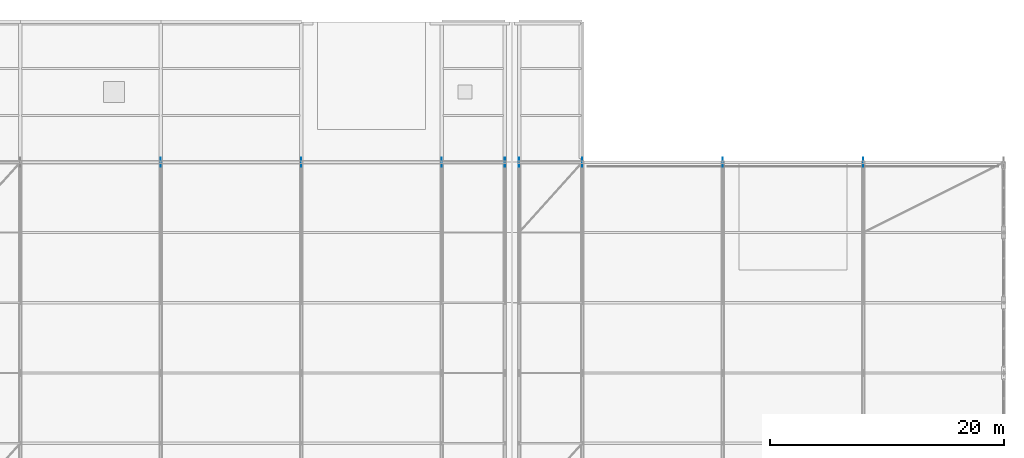
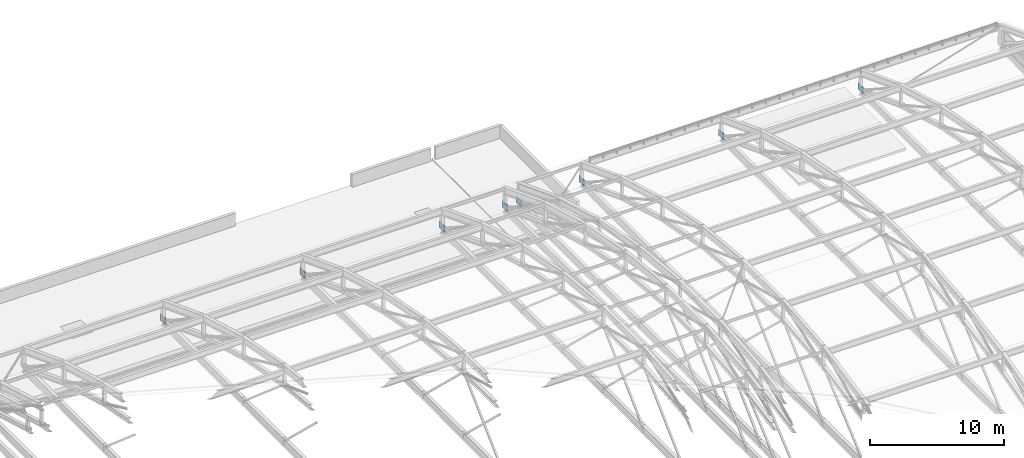
# One storey, part 191 of 204: 8 plates.
"""IFC4 building model written with IfcOpenShell, lengths in metres."""

from ifc_helpers import new_model, si_unit, direction, frame, origin, origin_2d, place, context, subcontext, project, spatial, rectangle, extrude, material, layer, layer_set, type_object, element, save


model = new_model("IFC4")

# Units and contexts
model_context = context("Model", 3, precision=1e-05, world=origin(), true_north=direction((0.0, 1.0)))
body_context = subcontext(model_context, "Body", "Model", "MODEL_VIEW")
ifc_project = project(units=[si_unit("LENGTHUNIT", "METRE"), si_unit("AREAUNIT", "SQUARE_METRE"), si_unit("VOLUMEUNIT", "CUBIC_METRE"), si_unit("PLANEANGLEUNIT", "RADIAN"), si_unit("MASSUNIT", "GRAM", prefix="KILO")], contexts=[model_context])

# Site, building, storey
site_placement = place(None, origin())
site = spatial("IfcSite", under=ifc_project, at=site_placement, CompositionType="ELEMENT")
building_placement = place(site_placement, origin())
building = spatial("IfcBuilding", under=site, at=building_placement, Name="Zilviju Railside Exhibition Hall", CompositionType="ELEMENT")
storey_placement = place(building_placement, frame((0.0, 0.0, 21.0)))
storey = spatial("IfcBuildingStorey", under=building, at=storey_placement, Name="RF", CompositionType="ELEMENT", Elevation=21.0)

# Plates
ifc_material = material(Name="Steel S355ML", Category="steel")
ifc_layer = layer(ifc_material, 0.034912109375)
ifc_layer_set = layer_set([ifc_layer], Name="Steel S355ML")
plate_type = type_object("IfcPlateType", Name="PLATE-GP-35", PredefinedType="SHEET", material=ifc_layer_set)
for number, where, z_axis, x_axis, name in (
    (1, (144.0, 138.0, -3.75), (0.0, 0.0, 1.0), (1.0, 0.0, 0.0), "V2 Arch Pin-Shoe Gusset Plate X=144.0"),
    (2, (156.0, 138.0, -3.75), (0.0, 0.0, 1.0), (1.0, 0.0, 0.0), "V2 Arch Pin-Shoe Gusset Plate X=156.0"),
    (3, (168.0, 138.0, -3.75), (0.0, 0.0, 1.0), (1.0, 0.0, 0.0), "V2 Arch Pin-Shoe Gusset Plate X=168.0"),
    (4, (173.39990234375, 138.0, -3.75), (0.0, 0.0, 1.0), (1.0, 0.0, 0.0), "V2 Arch Pin-Shoe Gusset Plate X=173.4"),
    (5, (174.60009765625, 138.0, -3.75), (0.0, 0.0, 1.0), (1.0, 0.0, 0.0), "V2 Arch Pin-Shoe Gusset Plate X=174.6"),
    (6, (180.0, 138.0, -3.75), (0.0, 0.0, 1.0), (1.0, 0.0, 0.0), "V2 Arch Pin-Shoe Gusset Plate X=180.0"),
    (7, (192.0, 138.0, -3.75), (0.0, 0.0, 1.0), (1.0, 0.0, 0.0), "V2 Arch Pin-Shoe Gusset Plate X=192.0"),
    (8, (204.0, 138.0, -3.75), (0.0, 0.0, 1.0), (1.0, 0.0, 0.0), "V2 Arch Pin-Shoe Gusset Plate X=204.0"),
):
    element("IfcPlate", number, at=place(storey_placement, frame(where, z_axis=z_axis, x_axis=x_axis)), inside=storey, type_object=plate_type, Name=name, PredefinedType="SHEET", context=body_context, shape_type="SweptSolid", body=[
        extrude(rectangle(XDim=0.034912109375, YDim=0.75, at=origin_2d()), origin(), (0.0, 0.0, 1.0), 0.60009765625),
    ])

save(model, "model.ifc")
